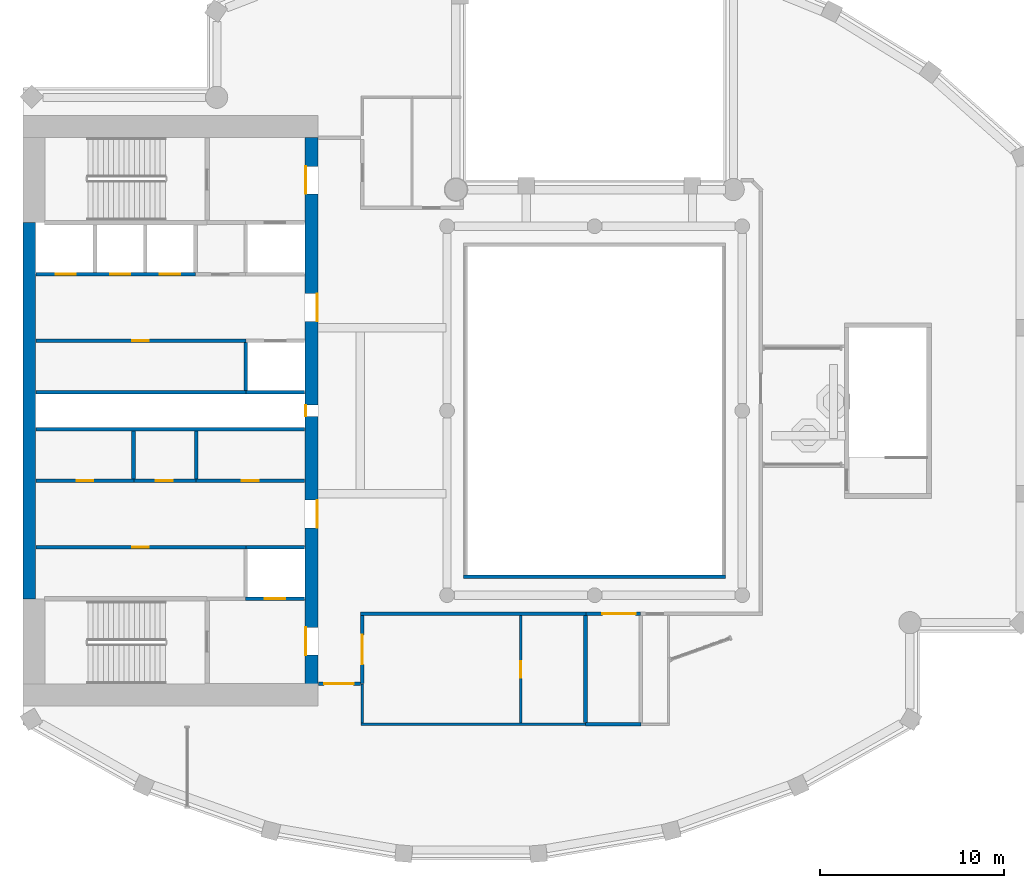
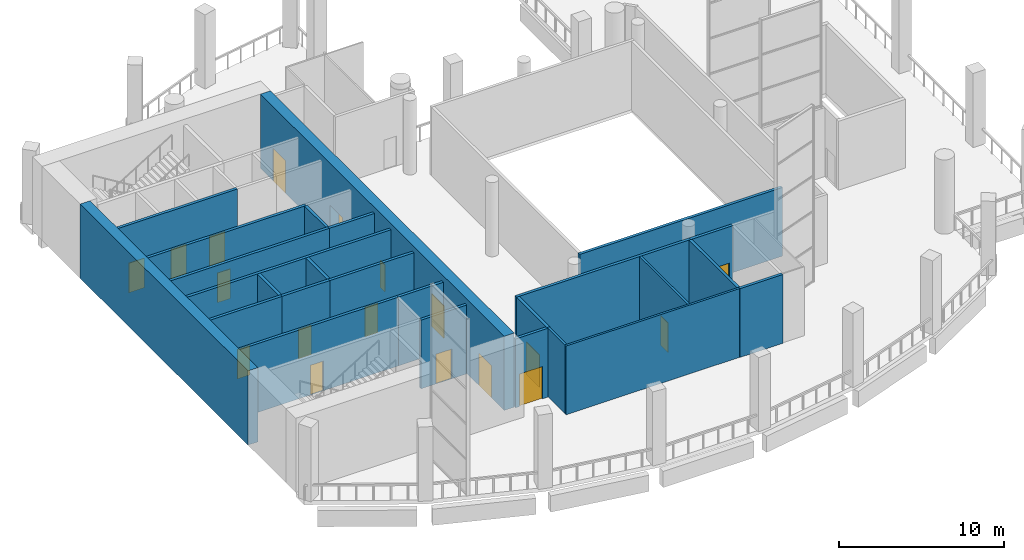
# One storey, part 5 of 12: 26 walls, 18 doors, 18 openings.
"""IFC4 building model written with IfcOpenShell, lengths in metres."""

from ifc_helpers import new_model, si_unit, direction, frame, frame_2d, origin, place, context, subcontext, project, spatial, rectangle, extrude, material, layer, layer_set, type_object, element, fill, save


model = new_model("IFC4")

# Units and contexts
model_context = context("Model", 3, precision=1e-05, world=origin(), true_north=direction((0.0, 1.0)))
body_context = subcontext(model_context, "Body", "Model", "MODEL_VIEW")
ifc_project = project(units=[si_unit("LENGTHUNIT", "METRE"), si_unit("AREAUNIT", "SQUARE_METRE"), si_unit("VOLUMEUNIT", "CUBIC_METRE"), si_unit("PLANEANGLEUNIT", "RADIAN"), si_unit("MASSUNIT", "GRAM", prefix="KILO")], contexts=[model_context])

# Site, building, storey
site_placement = place(None, origin())
site = spatial("IfcSite", under=ifc_project, at=site_placement, CompositionType="ELEMENT")
building_placement = place(site_placement, origin())
building = spatial("IfcBuilding", under=site, at=building_placement, Name="Cypress Arch Tower", CompositionType="ELEMENT")
storey_placement = place(building_placement, frame((0.0, 0.0, 329.5)))
storey = spatial("IfcBuildingStorey", under=building, at=storey_placement, Name="L75", CompositionType="ELEMENT", Elevation=329.5)

# Wall, openings, doors
ifc_material_1 = material(Name="Concrete C60/75", Category="concrete")
ifc_layer_1 = layer(ifc_material_1, 0.699951171875)
ifc_layer_set_1 = layer_set([ifc_layer_1], Name="Core wall CW700 C60/75")
wall_type_1 = type_object("IfcWallType", Name="Core wall CW700 C60/75", PredefinedType="SHEAR", material=ifc_layer_set_1)
wall_1_placement = place(storey_placement, frame((-14.35009765625, -14.800048828125, 0.0), z_axis=(0.0, 0.0, 1.0), x_axis=(0.0, 1.0, 0.0)))
wall_1 = element("IfcWall", 1, at=wall_1_placement, inside=storey, type_object=wall_type_1, Name="Core wall", PredefinedType="SHEAR", context=body_context, shape_type="SweptSolid", body=[
    extrude(rectangle(XDim=29.60009765625, YDim=0.699951171875, at=frame_2d((14.800048828125, 0.0))), origin(), (0.0, 0.0, 1.0), 5.5),
])
opening_1_placement = place(wall_1_placement, frame((1.550048828125, 0.0, 0.0)))
opening_1 = element("IfcOpeningElement", 2, at=opening_1_placement, cuts=wall_1, Name="Opening D07", PredefinedType="OPENING", context=body_context, shape_type="SweptSolid", body=[
    extrude(rectangle(XDim=1.5, YDim=2.39990234375, at=frame_2d((0.75, 1.199951171875))), frame((0.0, 0.35986328125, 0.0), z_axis=(0.0, -1.0, 0.0), x_axis=(1.0, 0.0, 0.0)), (0.0, 0.0, 1.0), 0.719970703125),
])
opening_2_placement = place(wall_1_placement, frame((26.550048828125, 0.0, 0.0)))
opening_2 = element("IfcOpeningElement", 3, at=opening_2_placement, cuts=wall_1, Name="Opening D07", PredefinedType="OPENING", context=body_context, shape_type="SweptSolid", body=[
    extrude(rectangle(XDim=1.5, YDim=2.39990234375, at=frame_2d((0.75, 1.199951171875))), frame((0.0, 0.35986328125, 0.0), z_axis=(0.0, -1.0, 0.0), x_axis=(1.0, 0.0, 0.0)), (0.0, 0.0, 1.0), 0.719970703125),
])
opening_3_placement = place(wall_1_placement, frame((8.449951171875, 0.0, 0.0)))
opening_3 = element("IfcOpeningElement", 4, at=opening_3_placement, cuts=wall_1, Name="Opening D07", PredefinedType="OPENING", context=body_context, shape_type="SweptSolid", body=[
    extrude(rectangle(XDim=1.5, YDim=2.39990234375, at=frame_2d((0.75, 1.199951171875))), frame((0.0, 0.35986328125, 0.0), z_axis=(0.0, -1.0, 0.0), x_axis=(1.0, 0.0, 0.0)), (0.0, 0.0, 1.0), 0.719970703125),
])
opening_4_placement = place(wall_1_placement, frame((19.64990234375, 0.0, 0.0)))
opening_4 = element("IfcOpeningElement", 5, at=opening_4_placement, cuts=wall_1, Name="Opening D07", PredefinedType="OPENING", context=body_context, shape_type="SweptSolid", body=[
    extrude(rectangle(XDim=1.5, YDim=2.39990234375, at=frame_2d((0.75, 1.199951171875))), frame((0.0, 0.35986328125, 0.0), z_axis=(0.0, -1.0, 0.0), x_axis=(1.0, 0.0, 0.0)), (0.0, 0.0, 1.0), 0.719970703125),
])
opening_5_placement = place(wall_1_placement, frame((14.5, 0.0, 0.0)))
opening_5 = element("IfcOpeningElement", 6, at=opening_5_placement, cuts=wall_1, Name="Opening D08", PredefinedType="OPENING", context=body_context, shape_type="SweptSolid", body=[
    extrude(rectangle(XDim=0.60009765625, YDim=2.0, at=frame_2d((0.300048828125, 1.0))), frame((0.0, 0.35986328125, 0.0), z_axis=(0.0, -1.0, 0.0), x_axis=(1.0, 0.0, 0.0)), (0.0, 0.0, 1.0), 0.719970703125),
])
ifc_material_2 = material(Name="Steel framed glazed door, fire resisting", Category="steel")
door_type_1 = type_object("IfcDoorType", Name="Lobby door D07 1500x2400", OperationType="DOUBLE_DOOR_SINGLE_SWING", PredefinedType="DOOR", material=ifc_material_2)
door_1_placement = place(opening_1_placement, origin())
door_1 = element("IfcDoor", 7, at=door_1_placement, inside=storey, type_object=door_type_1, Name="Lobby door", OperationType="DOUBLE_DOOR_SINGLE_SWING", OverallHeight=2.39990234375, OverallWidth=1.5, PredefinedType="DOOR", context=body_context, shape_type="SweptSolid", body=[
    extrude(rectangle(XDim=1.5, YDim=2.39990234375, at=frame_2d((0.75, 1.199951171875))), frame((0.0, 0.34521484375, 0.0), z_axis=(0.0, -1.0, 0.0), x_axis=(1.0, 0.0, 0.0)), (0.0, 0.0, 1.0), 0.050048828125),
])
fill(opening_1, door_1)
door_2_placement = place(opening_2_placement, origin())
door_2 = element("IfcDoor", 8, at=door_2_placement, inside=storey, type_object=door_type_1, Name="Lobby door", OperationType="DOUBLE_DOOR_SINGLE_SWING", OverallHeight=2.39990234375, OverallWidth=1.5, PredefinedType="DOOR", context=body_context, shape_type="SweptSolid", body=[
    extrude(rectangle(XDim=1.5, YDim=2.39990234375, at=frame_2d((0.75, 1.199951171875))), frame((0.0, 0.34521484375, 0.0), z_axis=(0.0, -1.0, 0.0), x_axis=(1.0, 0.0, 0.0)), (0.0, 0.0, 1.0), 0.050048828125),
])
fill(opening_2, door_2)
door_3_placement = place(opening_3_placement, origin())
door_3 = element("IfcDoor", 9, at=door_3_placement, inside=storey, type_object=door_type_1, Name="Lobby door", OperationType="DOUBLE_DOOR_SINGLE_SWING", OverallHeight=2.39990234375, OverallWidth=1.5, PredefinedType="DOOR", context=body_context, shape_type="SweptSolid", body=[
    extrude(rectangle(XDim=1.5, YDim=2.39990234375, at=frame_2d((0.75, 1.199951171875))), frame((0.0, -0.294921875, 0.0), z_axis=(0.0, -1.0, 0.0), x_axis=(1.0, 0.0, 0.0)), (0.0, 0.0, 1.0), 0.050048828125),
])
fill(opening_3, door_3)
door_4_placement = place(opening_4_placement, origin())
door_4 = element("IfcDoor", 10, at=door_4_placement, inside=storey, type_object=door_type_1, Name="Lobby door", OperationType="DOUBLE_DOOR_SINGLE_SWING", OverallHeight=2.39990234375, OverallWidth=1.5, PredefinedType="DOOR", context=body_context, shape_type="SweptSolid", body=[
    extrude(rectangle(XDim=1.5, YDim=2.39990234375, at=frame_2d((0.75, 1.199951171875))), frame((0.0, -0.294921875, 0.0), z_axis=(0.0, -1.0, 0.0), x_axis=(1.0, 0.0, 0.0)), (0.0, 0.0, 1.0), 0.050048828125),
])
fill(opening_4, door_4)
ifc_material_3 = material(Name="Steel access door, fire resisting", Category="steel")
door_type_2 = type_object("IfcDoorType", Name="Riser access door D08 600x2000", OperationType="SINGLE_SWING_LEFT", PredefinedType="DOOR", material=ifc_material_3)
door_5_placement = place(opening_5_placement, origin())
door_5 = element("IfcDoor", 11, at=door_5_placement, inside=storey, type_object=door_type_2, Name="Riser access door", OperationType="SINGLE_SWING_RIGHT", OverallHeight=2.0, OverallWidth=0.60009765625, PredefinedType="DOOR", context=body_context, shape_type="SweptSolid", body=[
    extrude(rectangle(XDim=0.60009765625, YDim=2.0, at=frame_2d((0.300048828125, 1.0))), frame((0.0, 0.34521484375, 0.0), z_axis=(0.0, -1.0, 0.0), x_axis=(1.0, 0.0, 0.0)), (0.0, 0.0, 1.0), 0.050048828125),
])
fill(opening_5, door_5)

# Wall
wall_2_placement = place(storey_placement, frame((-29.64990234375, -10.199951171875, 0.0), z_axis=(0.0, 0.0, 1.0), x_axis=(0.0, 1.0, 0.0)))
element("IfcWall", 12, at=wall_2_placement, inside=storey, type_object=wall_type_1, Name="Core wall", PredefinedType="SHEAR", context=body_context, shape_type="SweptSolid", body=[
    extrude(rectangle(XDim=20.39990234375, YDim=0.699951171875, at=frame_2d((10.199951171875, 0.0))), origin(), (0.0, 0.0, 1.0), 5.5),
])

# Wall, opening, door
ifc_material_4 = material(Name="Concrete blockwork, plastered, rated", Category="masonry")
ifc_layer_2 = layer(ifc_material_4, 0.199951171875)
ifc_layer_set_2 = layer_set([ifc_layer_2], Name="Corridor wall FW200")
wall_type_2 = type_object("IfcWallType", Name="Corridor wall FW200", PredefinedType="PARTITIONING", material=ifc_layer_set_2)
wall_3_placement = place(storey_placement, frame((-29.27001953125, -3.800048828125, 0.0), z_axis=(0.0, 0.0, 1.0), x_axis=(1.0, 0.0, 0.0)))
wall_3 = element("IfcWall", 13, at=wall_3_placement, inside=storey, type_object=wall_type_2, Name="Corridor wall", PredefinedType="PARTITIONING", context=body_context, shape_type="SweptSolid", body=[
    extrude(rectangle(XDim=5.2900390625, YDim=0.199951171875, at=frame_2d((2.64501953125, 0.0))), origin(), (0.0, 0.0, 1.0), 5.097900390625),
])
opening_6_placement = place(wall_3_placement, frame((2.199951171875, 0.0, 0.0)))
opening_6 = element("IfcOpeningElement", 14, at=opening_6_placement, cuts=wall_3, Name="Opening D05", PredefinedType="OPENING", context=body_context, shape_type="SweptSolid", body=[
    extrude(rectangle(XDim=0.89990234375, YDim=2.199951171875, at=frame_2d((0.449951171875, 1.10009765625))), frame((0.0, 0.10986328125, 0.0), z_axis=(0.0, -1.0, 0.0), x_axis=(1.0, 0.0, 0.0)), (0.0, 0.0, 1.0), 0.219970703125),
])
ifc_material_5 = material(Name="Timber flush door", Category="wood")
door_type_3 = type_object("IfcDoorType", Name="Service door D05 900x2200", OperationType="SINGLE_SWING_LEFT", PredefinedType="DOOR", material=ifc_material_5)
door_6_placement = place(opening_6_placement, origin())
door_6 = element("IfcDoor", 15, at=door_6_placement, inside=storey, type_object=door_type_3, Name="Service door", OperationType="SINGLE_SWING_RIGHT", OverallHeight=2.199951171875, OverallWidth=0.89990234375, PredefinedType="DOOR", context=body_context, shape_type="SweptSolid", body=[
    extrude(rectangle(XDim=0.89990234375, YDim=2.199951171875, at=frame_2d((0.449951171875, 1.10009765625))), frame((0.0, 0.02490234375, 0.0), z_axis=(0.0, -1.0, 0.0), x_axis=(1.0, 0.0, 0.0)), (0.0, 0.0, 1.0), 0.050048828125),
])
fill(opening_6, door_6)

wall_4_placement = place(storey_placement, frame((-20.6201171875, -3.800048828125, 0.0), z_axis=(0.0, 0.0, 1.0), x_axis=(1.0, 0.0, 0.0)))
wall_4 = element("IfcWall", 16, at=wall_4_placement, inside=storey, type_object=wall_type_2, Name="Corridor wall", PredefinedType="PARTITIONING", context=body_context, shape_type="SweptSolid", body=[
    extrude(rectangle(XDim=5.89013671875, YDim=0.199951171875, at=frame_2d((2.945068359375, 0.0))), origin(), (0.0, 0.0, 1.0), 5.097900390625),
])
opening_7_placement = place(wall_4_placement, frame((2.5, 0.0, 0.0)))
opening_7 = element("IfcOpeningElement", 17, at=opening_7_placement, cuts=wall_4, Name="Opening D05", PredefinedType="OPENING", context=body_context, shape_type="SweptSolid", body=[
    extrude(rectangle(XDim=0.89990234375, YDim=2.199951171875, at=frame_2d((0.449951171875, 1.10009765625))), frame((0.0, 0.10986328125, 0.0), z_axis=(0.0, -1.0, 0.0), x_axis=(1.0, 0.0, 0.0)), (0.0, 0.0, 1.0), 0.219970703125),
])
door_7_placement = place(opening_7_placement, origin())
door_7 = element("IfcDoor", 18, at=door_7_placement, inside=storey, type_object=door_type_3, Name="Service door", OperationType="SINGLE_SWING_LEFT", OverallHeight=2.199951171875, OverallWidth=0.89990234375, PredefinedType="DOOR", context=body_context, shape_type="SweptSolid", body=[
    extrude(rectangle(XDim=0.89990234375, YDim=2.199951171875, at=frame_2d((0.449951171875, 1.10009765625))), frame((0.0, 0.02490234375, 0.0), z_axis=(0.0, -1.0, 0.0), x_axis=(1.0, 0.0, 0.0)), (0.0, 0.0, 1.0), 0.050048828125),
])
fill(opening_7, door_7)

wall_5_placement = place(storey_placement, frame((-13.969970703125, -14.800048828125, 0.0), z_axis=(0.0, 0.0, 1.0), x_axis=(1.0, 0.0, 0.0)))
wall_5 = element("IfcWall", 19, at=wall_5_placement, inside=storey, type_object=wall_type_2, Name="Corridor wall", PredefinedType="PARTITIONING", context=body_context, shape_type="SweptSolid", body=[
    extrude(rectangle(XDim=2.27001953125, YDim=0.199951171875, at=frame_2d((1.135009765625, 0.0))), origin(), (0.0, 0.0, 1.0), 5.097900390625),
])
opening_8_placement = place(wall_5_placement, frame((0.300048828125, 0.0, 0.0)))
opening_8 = element("IfcOpeningElement", 20, at=opening_8_placement, cuts=wall_5, Name="Opening D10", PredefinedType="OPENING", context=body_context, shape_type="SweptSolid", body=[
    extrude(rectangle(XDim=1.60009765625, YDim=2.39990234375, at=frame_2d((0.800048828125, 1.199951171875))), frame((0.0, 0.10986328125, 0.0), z_axis=(0.0, -1.0, 0.0), x_axis=(1.0, 0.0, 0.0)), (0.0, 0.0, 1.0), 0.219970703125),
])
ifc_material_6 = material(Name="Black aluminium glazed door", Category="aluminium")
door_type_4 = type_object("IfcDoorType", Name="Amenity door D10 1600x2400", OperationType="DOUBLE_DOOR_SINGLE_SWING", PredefinedType="DOOR", material=ifc_material_6)
door_8_placement = place(opening_8_placement, origin())
door_8 = element("IfcDoor", 21, at=door_8_placement, inside=storey, type_object=door_type_4, Name="Amenity door", OperationType="DOUBLE_DOOR_SINGLE_SWING", OverallHeight=2.39990234375, OverallWidth=1.60009765625, PredefinedType="DOOR", context=body_context, shape_type="SweptSolid", body=[
    extrude(rectangle(XDim=1.60009765625, YDim=2.39990234375, at=frame_2d((0.800048828125, 1.199951171875))), frame((0.0, 0.02490234375, 0.0), z_axis=(0.0, -1.0, 0.0), x_axis=(1.0, 0.0, 0.0)), (0.0, 0.0, 1.0), 0.050048828125),
])
fill(opening_8, door_8)

wall_6_placement = place(storey_placement, frame((-11.60009765625, -14.800048828125, 0.0), z_axis=(0.0, 0.0, 1.0), x_axis=(0.0, 1.0, 0.0)))
wall_6 = element("IfcWall", 22, at=wall_6_placement, inside=storey, type_object=wall_type_2, Name="Corridor wall", PredefinedType="PARTITIONING", context=body_context, shape_type="SweptSolid", body=[
    extrude(rectangle(XDim=3.699951171875, YDim=0.199951171875, at=frame_2d((1.85009765625, 0.0))), origin(), (0.0, 0.0, 1.0), 5.097900390625),
])
opening_9_placement = place(wall_6_placement, frame((1.050048828125, 0.0, 0.0)))
opening_9 = element("IfcOpeningElement", 23, at=opening_9_placement, cuts=wall_6, Name="Opening D10", PredefinedType="OPENING", context=body_context, shape_type="SweptSolid", body=[
    extrude(rectangle(XDim=1.60009765625, YDim=2.39990234375, at=frame_2d((0.800048828125, 1.199951171875))), frame((0.0, 0.10986328125, 0.0), z_axis=(0.0, -1.0, 0.0), x_axis=(1.0, 0.0, 0.0)), (0.0, 0.0, 1.0), 0.219970703125),
])
door_9_placement = place(opening_9_placement, origin())
door_9 = element("IfcDoor", 24, at=door_9_placement, inside=storey, type_object=door_type_4, Name="Amenity door", OperationType="DOUBLE_DOOR_SINGLE_SWING", OverallHeight=2.39990234375, OverallWidth=1.60009765625, PredefinedType="DOOR", context=body_context, shape_type="SweptSolid", body=[
    extrude(rectangle(XDim=1.60009765625, YDim=2.39990234375, at=frame_2d((0.800048828125, 1.199951171875))), frame((0.0, 0.02490234375, 0.0), z_axis=(0.0, -1.0, 0.0), x_axis=(1.0, 0.0, 0.0)), (0.0, 0.0, 1.0), 0.050048828125),
])
fill(opening_9, door_9)

# Walls
wall_7_placement = place(storey_placement, frame((-11.699951171875, -11.0, 0.0), z_axis=(0.0, 0.0, 1.0), x_axis=(1.0, 0.0, 0.0)))
element("IfcWall", 25, at=wall_7_placement, inside=storey, type_object=wall_type_2, Name="Corridor wall", PredefinedType="PARTITIONING", context=body_context, shape_type="SweptSolid", body=[
    extrude(rectangle(XDim=12.219970703125, YDim=0.199951171875, at=frame_2d((6.10986328125, 0.0))), origin(), (0.0, 0.0, 1.0), 5.097900390625),
])
wall_8_placement = place(storey_placement, frame((-6.10009765625, -9.0, 0.0), z_axis=(0.0, 0.0, 1.0), x_axis=(1.0, 0.0, 0.0)))
element("IfcWall", 26, at=wall_8_placement, inside=storey, type_object=wall_type_2, Name="Corridor wall", PredefinedType="PARTITIONING", context=body_context, shape_type="SweptSolid", body=[
    extrude(rectangle(XDim=14.2001953125, YDim=0.199951171875, at=frame_2d((7.10009765625, 0.0))), origin(), (0.0, 0.0, 1.0), 5.097900390625),
])
ifc_material_7 = material(Name="Blockwork, plastered both sides", Category="masonry")
ifc_layer_3 = layer(ifc_material_7, 0.14990234375)
ifc_layer_set_3 = layer_set([ifc_layer_3], Name="Partition PW150")
wall_type_3 = type_object("IfcWallType", Name="Partition PW150", PredefinedType="PARTITIONING", material=ifc_layer_set_3)
wall_9_placement = place(storey_placement, frame((-11.60009765625, -16.925048828125, 0.0), z_axis=(0.0, 0.0, 1.0), x_axis=(0.0, 1.0, 0.0)))
element("IfcWall", 27, at=wall_9_placement, inside=storey, type_object=wall_type_3, Name="Partition", PredefinedType="PARTITIONING", context=body_context, shape_type="SweptSolid", body=[
    extrude(rectangle(XDim=2.125, YDim=0.14990234375, at=frame_2d((1.0625, 0.0))), origin(), (0.0, 0.0, 1.0), 5.097900390625),
])
wall_10_placement = place(storey_placement, frame((-11.675048828125, -17.0, 0.0), z_axis=(0.0, 0.0, 1.0), x_axis=(1.0, 0.0, 0.0)))
element("IfcWall", 28, at=wall_10_placement, inside=storey, type_object=wall_type_3, Name="Partition", PredefinedType="PARTITIONING", context=body_context, shape_type="SweptSolid", body=[
    extrude(rectangle(XDim=12.175048828125, YDim=0.14990234375, at=frame_2d((6.08740234375, 0.0))), origin(), (0.0, 0.0, 1.0), 5.097900390625),
])

# Wall, opening, door
wall_11_placement = place(storey_placement, frame((-3.0, -16.925048828125, 0.0), z_axis=(0.0, 0.0, 1.0), x_axis=(0.0, 1.0, 0.0)))
wall_11 = element("IfcWall", 29, at=wall_11_placement, inside=storey, type_object=wall_type_3, Name="Partition", PredefinedType="PARTITIONING", context=body_context, shape_type="SweptSolid", body=[
    extrude(rectangle(XDim=5.824951171875, YDim=0.14990234375, at=frame_2d((2.91259765625, 0.0))), origin(), (0.0, 0.0, 1.0), 5.097900390625),
])
opening_10_placement = place(wall_11_placement, frame((2.449951171875, 0.0, 0.0)))
opening_10 = element("IfcOpeningElement", 30, at=opening_10_placement, cuts=wall_11, Name="Opening D05", PredefinedType="OPENING", context=body_context, shape_type="SweptSolid", body=[
    extrude(rectangle(XDim=0.89990234375, YDim=2.199951171875, at=frame_2d((0.449951171875, 1.10009765625))), frame((0.0, 0.0849609375, 0.0), z_axis=(0.0, -1.0, 0.0), x_axis=(1.0, 0.0, 0.0)), (0.0, 0.0, 1.0), 0.169921875),
])
door_10_placement = place(opening_10_placement, origin())
door_10 = element("IfcDoor", 31, at=door_10_placement, inside=storey, type_object=door_type_3, Name="Service door", OperationType="SINGLE_SWING_LEFT", OverallHeight=2.199951171875, OverallWidth=0.89990234375, PredefinedType="DOOR", context=body_context, shape_type="SweptSolid", body=[
    extrude(rectangle(XDim=0.89990234375, YDim=2.199951171875, at=frame_2d((0.449951171875, 1.10009765625))), frame((0.0, 0.02490234375, 0.0), z_axis=(0.0, -1.0, 0.0), x_axis=(1.0, 0.0, 0.0)), (0.0, 0.0, 1.0), 0.050048828125),
])
fill(opening_10, door_10)

ifc_material_8 = material(Name="Reinforced blockwork, plastered, rated", Category="masonry")
ifc_layer_4 = layer(ifc_material_8, 0.199951171875)
ifc_layer_set_4 = layer_set([ifc_layer_4], Name="Plant and riser wall PL200")
wall_type_4 = type_object("IfcWallType", Name="Plant and riser wall PL200", PredefinedType="PARTITIONING", material=ifc_layer_set_4)
wall_12_placement = place(storey_placement, frame((-29.27001953125, -7.39990234375, 0.0), z_axis=(0.0, 0.0, 1.0), x_axis=(1.0, 0.0, 0.0)))
wall_12 = element("IfcWall", 32, at=wall_12_placement, inside=storey, type_object=wall_type_4, Name="Plant and riser wall", PredefinedType="PARTITIONING", context=body_context, shape_type="SweptSolid", body=[
    extrude(rectangle(XDim=11.3701171875, YDim=0.199951171875, at=frame_2d((5.68505859375, 0.0))), origin(), (0.0, 0.0, 1.0), 5.097900390625),
])
opening_11_placement = place(wall_12_placement, frame((5.199951171875, 0.0, 0.0)))
opening_11 = element("IfcOpeningElement", 33, at=opening_11_placement, cuts=wall_12, Name="Opening D05", PredefinedType="OPENING", context=body_context, shape_type="SweptSolid", body=[
    extrude(rectangle(XDim=0.89990234375, YDim=2.199951171875, at=frame_2d((0.449951171875, 1.10009765625))), frame((0.0, 0.10986328125, 0.0), z_axis=(0.0, -1.0, 0.0), x_axis=(1.0, 0.0, 0.0)), (0.0, 0.0, 1.0), 0.219970703125),
])
door_11_placement = place(opening_11_placement, origin())
door_11 = element("IfcDoor", 34, at=door_11_placement, inside=storey, type_object=door_type_3, Name="Service door", OperationType="SINGLE_SWING_RIGHT", OverallHeight=2.199951171875, OverallWidth=0.89990234375, PredefinedType="DOOR", context=body_context, shape_type="SweptSolid", body=[
    extrude(rectangle(XDim=0.89990234375, YDim=2.199951171875, at=frame_2d((0.449951171875, 1.10009765625))), frame((0.0, 0.02490234375, 0.0), z_axis=(0.0, -1.0, 0.0), x_axis=(1.0, 0.0, 0.0)), (0.0, 0.0, 1.0), 0.050048828125),
])
fill(opening_11, door_11)

# Walls
wall_13_placement = place(storey_placement, frame((-29.27001953125, -1.0, 0.0), z_axis=(0.0, 0.0, 1.0), x_axis=(1.0, 0.0, 0.0)))
element("IfcWall", 35, at=wall_13_placement, inside=storey, type_object=wall_type_4, Name="Plant and riser wall", PredefinedType="PARTITIONING", context=body_context, shape_type="SweptSolid", body=[
    extrude(rectangle(XDim=14.5400390625, YDim=0.199951171875, at=frame_2d((7.27001953125, 0.0))), origin(), (0.0, 0.0, 1.0), 5.097900390625),
])
wall_14_placement = place(storey_placement, frame((-29.27001953125, 1.0, 0.0), z_axis=(0.0, 0.0, 1.0), x_axis=(1.0, 0.0, 0.0)))
element("IfcWall", 36, at=wall_14_placement, inside=storey, type_object=wall_type_4, Name="Plant and riser wall", PredefinedType="PARTITIONING", context=body_context, shape_type="SweptSolid", body=[
    extrude(rectangle(XDim=11.3701171875, YDim=0.199951171875, at=frame_2d((5.68505859375, 0.0))), origin(), (0.0, 0.0, 1.0), 5.097900390625),
])

# Wall, opening, door
wall_15_placement = place(storey_placement, frame((-29.27001953125, 3.800048828125, 0.0), z_axis=(0.0, 0.0, 1.0), x_axis=(1.0, 0.0, 0.0)))
wall_15 = element("IfcWall", 37, at=wall_15_placement, inside=storey, type_object=wall_type_4, Name="Plant and riser wall", PredefinedType="PARTITIONING", context=body_context, shape_type="SweptSolid", body=[
    extrude(rectangle(XDim=11.3701171875, YDim=0.199951171875, at=frame_2d((5.68505859375, 0.0))), origin(), (0.0, 0.0, 1.0), 5.097900390625),
])
opening_12_placement = place(wall_15_placement, frame((5.199951171875, 0.0, 0.0)))
opening_12 = element("IfcOpeningElement", 38, at=opening_12_placement, cuts=wall_15, Name="Opening D05", PredefinedType="OPENING", context=body_context, shape_type="SweptSolid", body=[
    extrude(rectangle(XDim=0.89990234375, YDim=2.199951171875, at=frame_2d((0.449951171875, 1.10009765625))), frame((0.0, 0.10986328125, 0.0), z_axis=(0.0, -1.0, 0.0), x_axis=(1.0, 0.0, 0.0)), (0.0, 0.0, 1.0), 0.219970703125),
])
door_12_placement = place(opening_12_placement, origin())
door_12 = element("IfcDoor", 39, at=door_12_placement, inside=storey, type_object=door_type_3, Name="Service door", OperationType="SINGLE_SWING_RIGHT", OverallHeight=2.199951171875, OverallWidth=0.89990234375, PredefinedType="DOOR", context=body_context, shape_type="SweptSolid", body=[
    extrude(rectangle(XDim=0.89990234375, YDim=2.199951171875, at=frame_2d((0.449951171875, 1.10009765625))), frame((0.0, 0.02490234375, 0.0), z_axis=(0.0, -1.0, 0.0), x_axis=(1.0, 0.0, 0.0)), (0.0, 0.0, 1.0), 0.050048828125),
])
fill(opening_12, door_12)

wall_16_placement = place(storey_placement, frame((-23.97998046875, -3.800048828125, 0.0), z_axis=(0.0, 0.0, 1.0), x_axis=(1.0, 0.0, 0.0)))
wall_16 = element("IfcWall", 40, at=wall_16_placement, inside=storey, type_object=wall_type_4, Name="Plant and riser wall", PredefinedType="PARTITIONING", context=body_context, shape_type="SweptSolid", body=[
    extrude(rectangle(XDim=3.35986328125, YDim=0.199951171875, at=frame_2d((1.679931640625, 0.0))), origin(), (0.0, 0.0, 1.0), 5.097900390625),
])
opening_13_placement = place(wall_16_placement, frame((1.199951171875, 0.0, 0.0)))
opening_13 = element("IfcOpeningElement", 41, at=opening_13_placement, cuts=wall_16, Name="Opening D05", PredefinedType="OPENING", context=body_context, shape_type="SweptSolid", body=[
    extrude(rectangle(XDim=0.89990234375, YDim=2.199951171875, at=frame_2d((0.449951171875, 1.10009765625))), frame((0.0, 0.10986328125, 0.0), z_axis=(0.0, -1.0, 0.0), x_axis=(1.0, 0.0, 0.0)), (0.0, 0.0, 1.0), 0.219970703125),
])
door_13_placement = place(opening_13_placement, origin())
door_13 = element("IfcDoor", 42, at=door_13_placement, inside=storey, type_object=door_type_3, Name="Service door", OperationType="SINGLE_SWING_LEFT", OverallHeight=2.199951171875, OverallWidth=0.89990234375, PredefinedType="DOOR", context=body_context, shape_type="SweptSolid", body=[
    extrude(rectangle(XDim=0.89990234375, YDim=2.199951171875, at=frame_2d((0.449951171875, 1.10009765625))), frame((0.0, 0.02490234375, 0.0), z_axis=(0.0, -1.0, 0.0), x_axis=(1.0, 0.0, 0.0)), (0.0, 0.0, 1.0), 0.050048828125),
])
fill(opening_13, door_13)

# Walls
for number, where, z_axis, x_axis, name in (
    (43, (-24.0, -3.699951171875, 0.0), (0.0, 0.0, 1.0), (0.0, 1.0, 0.0), "Plant and riser wall"),
    (44, (-20.60009765625, -3.699951171875, 0.0), (0.0, 0.0, 1.0), (0.0, 1.0, 0.0), "Plant and riser wall"),
):
    element("IfcWall", number, at=place(storey_placement, frame(where, z_axis=z_axis, x_axis=x_axis)), inside=storey, type_object=wall_type_4, Name=name, PredefinedType="PARTITIONING", context=body_context, shape_type="SweptSolid", body=[
        extrude(rectangle(XDim=2.599853515625, YDim=0.199951171875, at=frame_2d((1.2998046875, 0.0))), origin(), (0.0, 0.0, 1.0), 5.097900390625),
    ])

# Wall, opening, door
wall_17_placement = place(storey_placement, frame((0.52001953125, -11.0, 0.0), z_axis=(0.0, 0.0, 1.0), x_axis=(1.0, 0.0, 0.0)))
wall_17 = element("IfcWall", 45, at=wall_17_placement, inside=storey, type_object=wall_type_4, Name="Plant and riser wall", PredefinedType="PARTITIONING", context=body_context, shape_type="SweptSolid", body=[
    extrude(rectangle(XDim=2.9599609375, YDim=0.199951171875, at=frame_2d((1.47998046875, 0.0))), origin(), (0.0, 0.0, 1.0), 5.097900390625),
])
opening_14_placement = place(wall_17_placement, frame((0.89990234375, 0.0, 0.0)))
opening_14 = element("IfcOpeningElement", 46, at=opening_14_placement, cuts=wall_17, Name="Opening D09", PredefinedType="OPENING", context=body_context, shape_type="SweptSolid", body=[
    extrude(rectangle(XDim=1.800048828125, YDim=2.39990234375, at=frame_2d((0.89990234375, 1.199951171875))), frame((0.0, 0.10986328125, 0.0), z_axis=(0.0, -1.0, 0.0), x_axis=(1.0, 0.0, 0.0)), (0.0, 0.0, 1.0), 0.219970703125),
])
ifc_material_9 = material(Name="Steel door, fire resisting", Category="steel")
door_type_5 = type_object("IfcDoorType", Name="Plant room door D09 1800x2400", OperationType="DOUBLE_DOOR_SINGLE_SWING", PredefinedType="DOOR", material=ifc_material_9)
door_14_placement = place(opening_14_placement, origin())
door_14 = element("IfcDoor", 47, at=door_14_placement, inside=storey, type_object=door_type_5, Name="Plant room door", OperationType="DOUBLE_DOOR_SINGLE_SWING", OverallHeight=2.39990234375, OverallWidth=1.800048828125, PredefinedType="DOOR", context=body_context, shape_type="SweptSolid", body=[
    extrude(rectangle(XDim=1.800048828125, YDim=2.39990234375, at=frame_2d((0.89990234375, 1.199951171875))), frame((0.0, 0.02490234375, 0.0), z_axis=(0.0, -1.0, 0.0), x_axis=(1.0, 0.0, 0.0)), (0.0, 0.0, 1.0), 0.050048828125),
])
fill(opening_14, door_14)

# Walls
wall_18_placement = place(storey_placement, frame((0.5, -16.89990234375, 0.0), z_axis=(0.0, 0.0, 1.0), x_axis=(0.0, 1.0, 0.0)))
element("IfcWall", 48, at=wall_18_placement, inside=storey, type_object=wall_type_4, Name="Plant and riser wall", PredefinedType="PARTITIONING", context=body_context, shape_type="SweptSolid", body=[
    extrude(rectangle(XDim=5.7998046875, YDim=0.199951171875, at=frame_2d((2.89990234375, 0.0))), origin(), (0.0, 0.0, 1.0), 5.097900390625),
])
wall_19_placement = place(storey_placement, frame((0.5, -17.0, 0.0), z_axis=(0.0, 0.0, 1.0), x_axis=(1.0, 0.0, 0.0)))
element("IfcWall", 49, at=wall_19_placement, inside=storey, type_object=wall_type_4, Name="Plant and riser wall", PredefinedType="PARTITIONING", context=body_context, shape_type="SweptSolid", body=[
    extrude(rectangle(XDim=3.02001953125, YDim=0.199951171875, at=frame_2d((1.510009765625, 0.0))), origin(), (0.0, 0.0, 1.0), 5.097900390625),
])

# Wall, openings, doors
ifc_material_10 = material(Name="Concrete C50/60", Category="concrete")
ifc_layer_5 = layer(ifc_material_10, 0.199951171875)
ifc_layer_set_5 = layer_set([ifc_layer_5], Name="Shaft wall SH200")
wall_type_5 = type_object("IfcWallType", Name="Shaft wall SH200", PredefinedType="SHEAR", material=ifc_layer_set_5)
wall_20_placement = place(storey_placement, frame((-29.27001953125, 7.39990234375, 0.0), z_axis=(0.0, 0.0, 1.0), x_axis=(1.0, 0.0, 0.0)))
wall_20 = element("IfcWall", 50, at=wall_20_placement, inside=storey, type_object=wall_type_5, Name="Shaft wall", PredefinedType="SHEAR", context=body_context, shape_type="SweptSolid", body=[
    extrude(rectangle(XDim=8.630126953125, YDim=0.199951171875, at=frame_2d((4.31494140625, 0.0))), origin(), (0.0, 0.0, 1.0), 5.097900390625),
])
opening_15_placement = place(wall_20_placement, frame((1.050048828125, 0.0, 0.0)))
opening_15 = element("IfcOpeningElement", 51, at=opening_15_placement, cuts=wall_20, Name="Opening LD-HR5", PredefinedType="OPENING", context=body_context, shape_type="SweptSolid", body=[
    extrude(rectangle(XDim=1.10009765625, YDim=2.199951171875, at=frame_2d((0.550048828125, 1.10009765625))), frame((0.0, 0.10986328125, 0.0), z_axis=(0.0, -1.0, 0.0), x_axis=(1.0, 0.0, 0.0)), (0.0, 0.0, 1.0), 0.219970703125),
])
opening_16_placement = place(wall_20_placement, frame((4.0, 0.0, 0.0)))
opening_16 = element("IfcOpeningElement", 52, at=opening_16_placement, cuts=wall_20, Name="Opening LD-HR6", PredefinedType="OPENING", context=body_context, shape_type="SweptSolid", body=[
    extrude(rectangle(XDim=1.10009765625, YDim=2.199951171875, at=frame_2d((0.550048828125, 1.10009765625))), frame((0.0, 0.10986328125, 0.0), z_axis=(0.0, -1.0, 0.0), x_axis=(1.0, 0.0, 0.0)), (0.0, 0.0, 1.0), 0.219970703125),
])
opening_17_placement = place(wall_20_placement, frame((6.699951171875, 0.0, 0.0)))
opening_17 = element("IfcOpeningElement", 53, at=opening_17_placement, cuts=wall_20, Name="Opening LD-HR7", PredefinedType="OPENING", context=body_context, shape_type="SweptSolid", body=[
    extrude(rectangle(XDim=1.10009765625, YDim=2.199951171875, at=frame_2d((0.550048828125, 1.10009765625))), frame((0.0, 0.10986328125, 0.0), z_axis=(0.0, -1.0, 0.0), x_axis=(1.0, 0.0, 0.0)), (0.0, 0.0, 1.0), 0.219970703125),
])
ifc_material_11 = material(Name="Stainless steel centre-opening landing door, rated", Category="steel")
door_type_6 = type_object("IfcDoorType", Name="Lift landing door LD 1100x2200", OperationType="DOUBLE_DOOR_SLIDING", PredefinedType="DOOR", material=ifc_material_11)
door_15_placement = place(opening_15_placement, origin())
door_15 = element("IfcDoor", 54, at=door_15_placement, inside=storey, type_object=door_type_6, Name="Lift landing doors HR5", OperationType="DOUBLE_DOOR_SLIDING", OverallHeight=2.199951171875, OverallWidth=1.10009765625, PredefinedType="DOOR", context=body_context, shape_type="SweptSolid", body=[
    extrude(rectangle(XDim=1.10009765625, YDim=2.199951171875, at=frame_2d((0.550048828125, 1.10009765625))), frame((0.0, 0.02490234375, 0.0), z_axis=(0.0, -1.0, 0.0), x_axis=(1.0, 0.0, 0.0)), (0.0, 0.0, 1.0), 0.050048828125),
])
fill(opening_15, door_15)
door_16_placement = place(opening_16_placement, origin())
door_16 = element("IfcDoor", 55, at=door_16_placement, inside=storey, type_object=door_type_6, Name="Lift landing doors HR6", OperationType="DOUBLE_DOOR_SLIDING", OverallHeight=2.199951171875, OverallWidth=1.10009765625, PredefinedType="DOOR", context=body_context, shape_type="SweptSolid", body=[
    extrude(rectangle(XDim=1.10009765625, YDim=2.199951171875, at=frame_2d((0.550048828125, 1.10009765625))), frame((0.0, 0.02490234375, 0.0), z_axis=(0.0, -1.0, 0.0), x_axis=(1.0, 0.0, 0.0)), (0.0, 0.0, 1.0), 0.050048828125),
])
fill(opening_16, door_16)
door_17_placement = place(opening_17_placement, origin())
door_17 = element("IfcDoor", 56, at=door_17_placement, inside=storey, type_object=door_type_6, Name="Lift landing doors HR7", OperationType="DOUBLE_DOOR_SLIDING", OverallHeight=2.199951171875, OverallWidth=1.10009765625, PredefinedType="DOOR", context=body_context, shape_type="SweptSolid", body=[
    extrude(rectangle(XDim=1.10009765625, YDim=2.199951171875, at=frame_2d((0.550048828125, 1.10009765625))), frame((0.0, 0.02490234375, 0.0), z_axis=(0.0, -1.0, 0.0), x_axis=(1.0, 0.0, 0.0)), (0.0, 0.0, 1.0), 0.050048828125),
])
fill(opening_17, door_17)

# Wall, opening, door
wall_21_placement = place(storey_placement, frame((-17.919921875, -10.199951171875, 0.0), z_axis=(0.0, 0.0, 1.0), x_axis=(1.0, 0.0, 0.0)))
wall_21 = element("IfcWall", 57, at=wall_21_placement, inside=storey, type_object=wall_type_5, Name="Shaft wall", PredefinedType="SHEAR", context=body_context, shape_type="SweptSolid", body=[
    extrude(rectangle(XDim=3.18994140625, YDim=0.199951171875, at=frame_2d((1.594970703125, 0.0))), origin(), (0.0, 0.0, 1.0), 5.097900390625),
])
opening_18_placement = place(wall_21_placement, frame((1.050048828125, 0.0, 0.0)))
opening_18 = element("IfcOpeningElement", 58, at=opening_18_placement, cuts=wall_21, Name="Opening LD-FL1", PredefinedType="OPENING", context=body_context, shape_type="SweptSolid", body=[
    extrude(rectangle(XDim=1.10009765625, YDim=2.199951171875, at=frame_2d((0.550048828125, 1.10009765625))), frame((0.0, 0.10986328125, 0.0), z_axis=(0.0, -1.0, 0.0), x_axis=(1.0, 0.0, 0.0)), (0.0, 0.0, 1.0), 0.219970703125),
])
door_18_placement = place(opening_18_placement, origin())
door_18 = element("IfcDoor", 59, at=door_18_placement, inside=storey, type_object=door_type_6, Name="Lift landing doors FL1", OperationType="DOUBLE_DOOR_SLIDING", OverallHeight=2.199951171875, OverallWidth=1.10009765625, PredefinedType="DOOR", context=body_context, shape_type="SweptSolid", body=[
    extrude(rectangle(XDim=1.10009765625, YDim=2.199951171875, at=frame_2d((0.550048828125, 1.10009765625))), frame((0.0, 0.02490234375, 0.0), z_axis=(0.0, -1.0, 0.0), x_axis=(1.0, 0.0, 0.0)), (0.0, 0.0, 1.0), 0.050048828125),
])
fill(opening_18, door_18)

# Walls
wall_22_placement = place(storey_placement, frame((-17.89990234375, -7.39990234375, 0.0), z_axis=(0.0, 0.0, 1.0), x_axis=(1.0, 0.0, 0.0)))
element("IfcWall", 60, at=wall_22_placement, inside=storey, type_object=wall_type_5, Name="Shaft wall", PredefinedType="SHEAR", context=body_context, shape_type="SweptSolid", body=[
    extrude(rectangle(XDim=3.169921875, YDim=0.199951171875, at=frame_2d((1.5849609375, 0.0))), origin(), (0.0, 0.0, 1.0), 5.097900390625),
])
wall_23_placement = place(storey_placement, frame((-17.919921875, 1.10009765625, 0.0), z_axis=(0.0, 0.0, 1.0), x_axis=(0.0, 1.0, 0.0)))
element("IfcWall", 61, at=wall_23_placement, inside=storey, type_object=wall_type_5, Name="Shaft wall", PredefinedType="SHEAR", context=body_context, shape_type="SweptSolid", body=[
    extrude(rectangle(XDim=2.599853515625, YDim=0.199951171875, at=frame_2d((1.2998046875, 0.0))), origin(), (0.0, 0.0, 1.0), 5.097900390625),
])
wall_24_placement = place(storey_placement, frame((-17.89990234375, 1.0, 0.0), z_axis=(0.0, 0.0, 1.0), x_axis=(1.0, 0.0, 0.0)))
element("IfcWall", 62, at=wall_24_placement, inside=storey, type_object=wall_type_5, Name="Shaft wall", PredefinedType="SHEAR", context=body_context, shape_type="SweptSolid", body=[
    extrude(rectangle(XDim=3.169921875, YDim=0.199951171875, at=frame_2d((1.5849609375, 0.0))), origin(), (0.0, 0.0, 1.0), 5.097900390625),
])

save(model, "model.ifc")
